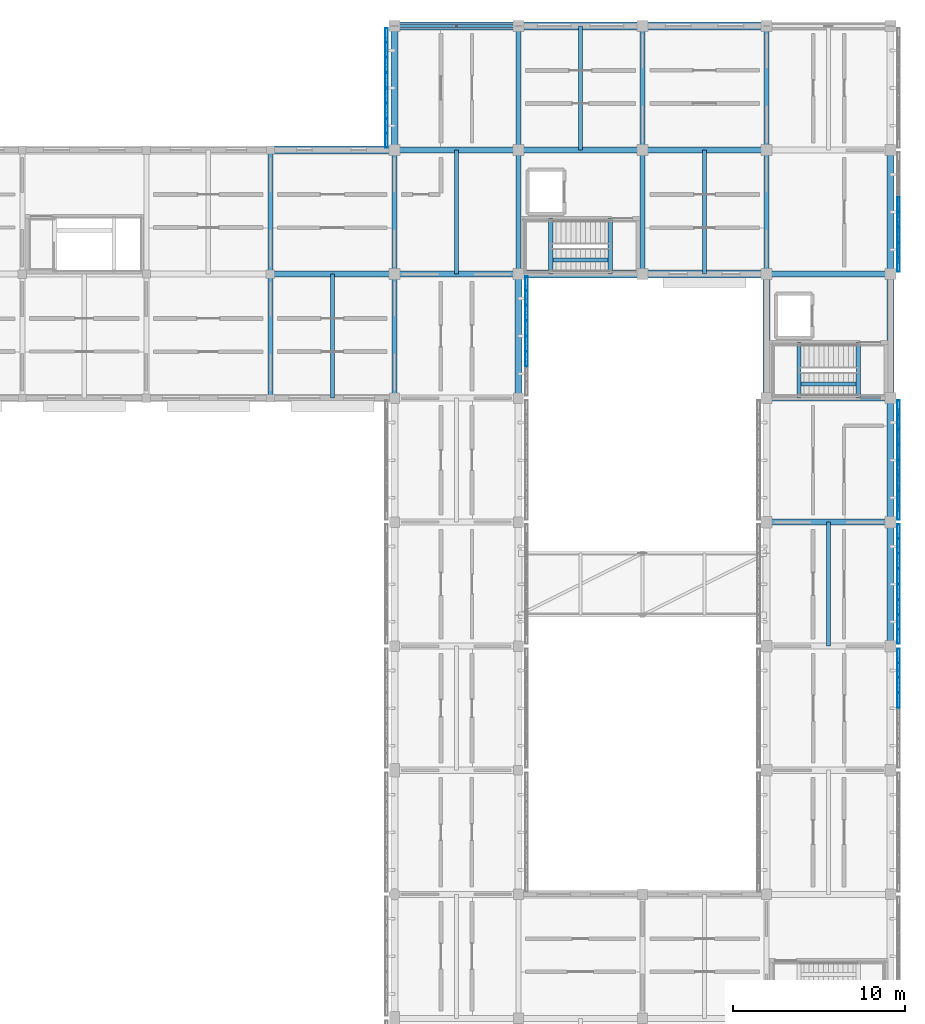
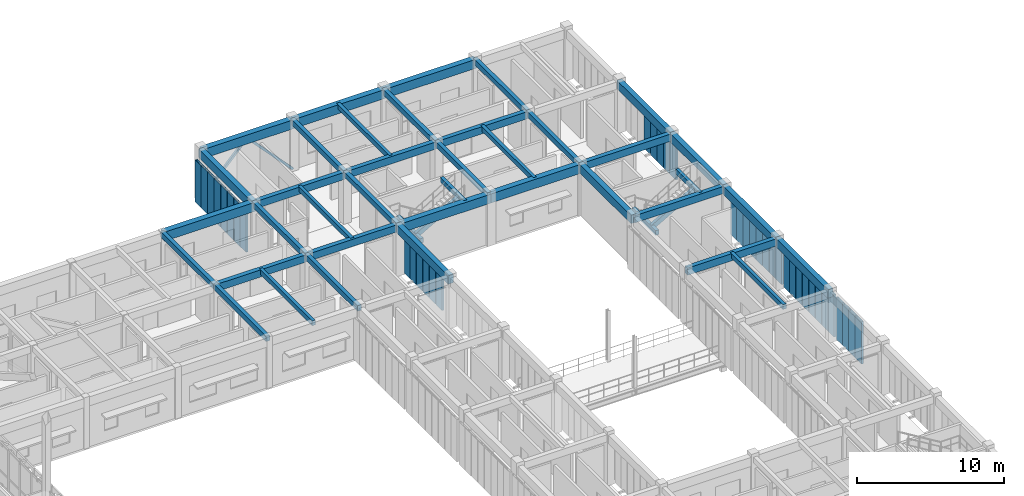
# One storey, part 67 of 171: 42 beams, 41 members, 6 elements without a shape of their own.
"""IFC4 building model written with IfcOpenShell, lengths in metres."""

from ifc_helpers import new_model, si_unit, direction, frame, origin, origin_2d, place, context, subcontext, project, spatial, rectangle, hollow_rectangle, extrude, material, material_profile, profile_set, type_object, element, aggregate, save


model = new_model("IFC4")

# Units and contexts
model_context = context("Model", 3, precision=1e-05, world=origin(), true_north=direction((0.0, 1.0)))
body_context = subcontext(model_context, "Body", "Model", "MODEL_VIEW")
ifc_project = project(units=[si_unit("LENGTHUNIT", "METRE"), si_unit("AREAUNIT", "SQUARE_METRE"), si_unit("VOLUMEUNIT", "CUBIC_METRE"), si_unit("PLANEANGLEUNIT", "RADIAN"), si_unit("MASSUNIT", "GRAM", prefix="KILO")], contexts=[model_context])

# Site, building, storey
site_placement = place(None, origin())
site = spatial("IfcSite", under=ifc_project, at=site_placement, CompositionType="ELEMENT")
building_placement = place(site_placement, origin())
building = spatial("IfcBuilding", under=site, at=building_placement, Name="Aldebral Square Health Centre", CompositionType="ELEMENT")
storey_placement = place(building_placement, frame((0.0, 0.0, 4.5)))
storey = spatial("IfcBuildingStorey", under=building, at=storey_placement, Name="L01", CompositionType="ELEMENT", Elevation=4.5)

# Beams
ifc_material_1 = material(Name="Concrete C40/50", Category="concrete")
ifc_material_profile_1 = material_profile(ifc_material_1, rectangle(XDim=0.35009765625, YDim=0.60009765625, at=origin_2d()), Name="RC 350x600")
ifc_profile_set_1 = profile_set([ifc_material_profile_1], Name="Concrete C40/50")
beam_type_1 = type_object("IfcBeamType", Name="BM-B2", PredefinedType="BEAM", material=ifc_profile_set_1)
for number, where, z_axis, x_axis, name in (
    (1, (129.60009765625, 100.800048828125, 3.919921875), (1.0, 0.0, 0.0), (0.0, 1.0, 0.0), "L01 X-beam 19-20/G15"),
    (2, (136.800048828125, 100.800048828125, 3.919921875), (1.0, 0.0, 0.0), (0.0, 1.0, 0.0), "L01 X-beam 20-21/G15"),
    (3, (136.800048828125, 108.0, 3.919921875), (1.0, 0.0, 0.0), (0.0, 1.0, 0.0), "L01 X-beam 20-21/G16"),
    (4, (144.0, 108.0, 3.919921875), (1.0, 0.0, 0.0), (0.0, 1.0, 0.0), "L01 X-beam 21-22/G16"),
    (5, (151.199951171875, 108.0, 3.919921875), (1.0, 0.0, 0.0), (0.0, 1.0, 0.0), "L01 X-beam 22-23/G16"),
):
    element("IfcBeam", number, at=place(storey_placement, frame(where, z_axis=z_axis, x_axis=x_axis)), inside=storey, type_object=beam_type_1, Name=name, PredefinedType="BEAM", context=body_context, shape_type="SweptSolid", body=[
        extrude(rectangle(XDim=0.35009765625, YDim=0.60009765625, at=origin_2d()), origin(), (0.0, 0.0, 1.0), 7.199951171875),
    ])
for number, where, z_axis, x_axis, name in (
    (6, (158.39990234375, 86.39990234375, 3.919921875), (1.0, 0.0, 0.0), (0.0, 1.0, 0.0), "L01 X-beam 23-24/G13"),
    (7, (158.39990234375, 93.60009765625, 3.919921875), (1.0, 0.0, 0.0), (0.0, 1.0, 0.0), "L01 X-beam 23-24/G14"),
    (8, (158.39990234375, 100.800048828125, 3.919921875), (1.0, 0.0, 0.0), (0.0, 1.0, 0.0), "L01 X-beam 23-24/G15"),
):
    element("IfcBeam", number, at=place(storey_placement, frame(where, z_axis=z_axis, x_axis=x_axis)), inside=storey, type_object=beam_type_1, Name=name, PredefinedType="BEAM", context=body_context, shape_type="SweptSolid", body=[
        extrude(rectangle(XDim=0.35009765625, YDim=0.60009765625, at=origin_2d()), origin(), (0.0, 0.0, 1.0), 7.2001953125),
    ])
ifc_material_profile_2 = material_profile(ifc_material_1, rectangle(XDim=0.300048828125, YDim=0.449951171875, at=origin_2d()), Name="RC 300x450")
ifc_profile_set_2 = profile_set([ifc_material_profile_2], Name="Concrete C40/50")
beam_type_2 = type_object("IfcBeamType", Name="BM-B5", PredefinedType="BEAM", material=ifc_profile_set_2)
for number, where, z_axis, x_axis, name in (
    (9, (129.60009765625, 93.60009765625, 3.9951171875), (0.0, 1.0, 0.0), (-1.0, 0.0, 0.0), "L01 Y-beam G19/14-15"),
    (10, (129.60009765625, 100.800048828125, 3.9951171875), (0.0, 1.0, 0.0), (-1.0, 0.0, 0.0), "L01 Y-beam G19/15-16"),
    (11, (136.800048828125, 93.60009765625, 3.9951171875), (0.0, 1.0, 0.0), (-1.0, 0.0, 0.0), "L01 Y-beam G20/14-15"),
    (12, (136.800048828125, 100.800048828125, 3.9951171875), (0.0, 1.0, 0.0), (-1.0, 0.0, 0.0), "L01 Y-beam G20/15-16"),
    (13, (144.0, 100.800048828125, 3.9951171875), (0.0, 1.0, 0.0), (-1.0, 0.0, 0.0), "L01 Y-beam G21/15-16"),
    (14, (144.0, 108.0, 3.9951171875), (0.0, 1.0, 0.0), (-1.0, 0.0, 0.0), "L01 Y-beam G21/16-17"),
    (15, (151.199951171875, 100.800048828125, 3.9951171875), (0.0, 1.0, 0.0), (-1.0, 0.0, 0.0), "L01 Y-beam G22/15-16"),
    (16, (151.199951171875, 108.0, 3.9951171875), (0.0, 1.0, 0.0), (-1.0, 0.0, 0.0), "L01 Y-beam G22/16-17"),
    (17, (158.39990234375, 100.800048828125, 3.9951171875), (0.0, 1.0, 0.0), (-1.0, 0.0, 0.0), "L01 Y-beam G23/15-16"),
    (18, (158.39990234375, 108.0, 3.9951171875), (0.0, 1.0, 0.0), (-1.0, 0.0, 0.0), "L01 Y-beam G23/16-17"),
):
    element("IfcBeam", number, at=place(storey_placement, frame(where, z_axis=z_axis, x_axis=x_axis)), inside=storey, type_object=beam_type_2, Name=name, PredefinedType="BEAM", context=body_context, shape_type="SweptSolid", body=[
        extrude(rectangle(XDim=0.300048828125, YDim=0.449951171875, at=origin_2d()), origin(), (0.0, 0.0, 1.0), 7.199951171875),
    ])
ifc_material_profile_3 = material_profile(ifc_material_1, rectangle(XDim=0.25, YDim=0.39990234375, at=origin_2d()), Name="RC 250x400")
ifc_profile_set_3 = profile_set([ifc_material_profile_3], Name="Concrete C40/50")
beam_type_3 = type_object("IfcBeamType", Name="BM-B6", PredefinedType="JOIST", material=ifc_profile_set_3)
for number, where, z_axis, x_axis, name in (
    (19, (133.199951171875, 93.60009765625, 4.02001953125), (0.0, 1.0, 0.0), (-1.0, 0.0, 0.0), "L01 secondary rib 19.14"),
    (20, (140.39990234375, 100.800048828125, 4.02001953125), (0.0, 1.0, 0.0), (-1.0, 0.0, 0.0), "L01 secondary rib 20.15"),
    (21, (147.60009765625, 108.0, 4.02001953125), (0.0, 1.0, 0.0), (-1.0, 0.0, 0.0), "L01 secondary rib 21.16"),
    (22, (154.800048828125, 100.800048828125, 4.02001953125), (0.0, 1.0, 0.0), (-1.0, 0.0, 0.0), "L01 secondary rib 22.15"),
    (23, (162.0, 79.199951171875, 4.02001953125), (0.0, 1.0, 0.0), (-1.0, 0.0, 0.0), "L01 secondary rib 23.12"),
):
    element("IfcBeam", number, at=place(storey_placement, frame(where, z_axis=z_axis, x_axis=x_axis)), inside=storey, type_object=beam_type_3, Name=name, PredefinedType="JOIST", context=body_context, shape_type="SweptSolid", body=[
        extrude(rectangle(XDim=0.25, YDim=0.39990234375, at=origin_2d()), origin(), (0.0, 0.0, 1.0), 7.199951171875),
    ])
for number, where, z_axis, x_axis, name in (
    (24, (160.280029296875, 93.610107421875, 2.050048828125), (0.0, 1.0, 0.0), (-1.0, 0.0, 0.0), "L01 WC-C3 half-landing beam"),
    (25, (163.719970703125, 93.610107421875, 4.02001953125), (0.0, 1.0, 0.0), (-1.0, 0.0, 0.0), "L01 WC-C3 upper landing beam"),
):
    element("IfcBeam", number, at=place(storey_placement, frame(where, z_axis=z_axis, x_axis=x_axis)), inside=storey, type_object=beam_type_3, Name=name, PredefinedType="JOIST", context=body_context, shape_type="SweptSolid", body=[
        extrude(rectangle(XDim=0.25, YDim=0.39990234375, at=origin_2d()), origin(), (0.0, 0.0, 1.0), 3.219970703125),
    ])
beam_1_placement = place(storey_placement, frame((160.280029296875, 94.419921875, 2.050048828125), z_axis=(0.867776584178, 0.0, 0.496954525034), x_axis=(0.0, 1.0, 0.0)))
element("IfcBeam", 26, at=beam_1_placement, inside=storey, type_object=beam_type_3, Name="L01 WC-C3 flight stringer beam", PredefinedType="JOIST", context=body_context, shape_type="SweptSolid", body=[
    extrude(rectangle(XDim=0.25, YDim=0.39990234375, at=origin_2d()), origin(), (0.0, 0.0, 1.0), 3.964111328125),
])
for number, where, z_axis, x_axis, name in (
    (27, (145.8798828125, 100.81005859375, 2.050048828125), (0.0, 1.0, 0.0), (-1.0, 0.0, 0.0), "L01 WC-C4 half-landing beam"),
    (28, (149.320068359375, 100.81005859375, 4.02001953125), (0.0, 1.0, 0.0), (-1.0, 0.0, 0.0), "L01 WC-C4 upper landing beam"),
):
    element("IfcBeam", number, at=place(storey_placement, frame(where, z_axis=z_axis, x_axis=x_axis)), inside=storey, type_object=beam_type_3, Name=name, PredefinedType="JOIST", context=body_context, shape_type="SweptSolid", body=[
        extrude(rectangle(XDim=0.25, YDim=0.39990234375, at=origin_2d()), origin(), (0.0, 0.0, 1.0), 3.219970703125),
    ])
beam_2_placement = place(storey_placement, frame((145.8798828125, 101.6201171875, 2.050048828125), z_axis=(0.867791792995, 0.0, 0.496927966622), x_axis=(0.0, 1.0, 0.0)))
element("IfcBeam", 29, at=beam_2_placement, inside=storey, type_object=beam_type_3, Name="L01 WC-C4 flight stringer beam", PredefinedType="JOIST", context=body_context, shape_type="SweptSolid", body=[
    extrude(rectangle(XDim=0.25, YDim=0.39990234375, at=origin_2d()), origin(), (0.0, 0.0, 1.0), 3.96435546875),
])
ifc_material_profile_4 = material_profile(ifc_material_1, rectangle(XDim=0.449951171875, YDim=0.75, at=origin_2d()), Name="RC 450x750")
ifc_profile_set_4 = profile_set([ifc_material_profile_4], Name="Concrete C40/50")
beam_type_4 = type_object("IfcBeamType", Name="BM-G2", PredefinedType="T_BEAM", material=ifc_profile_set_4)
for number, where, z_axis, x_axis, name in (
    (30, (129.60009765625, 108.0, 3.844970703125), (1.0, 0.0, 0.0), (0.0, 1.0, 0.0), "L01 X-beam 19-20/G16"),
    (31, (136.800048828125, 115.199951171875, 3.844970703125), (1.0, 0.0, 0.0), (0.0, 1.0, 0.0), "L01 X-beam 20-21/G17"),
    (32, (144.0, 100.800048828125, 3.844970703125), (1.0, 0.0, 0.0), (0.0, 1.0, 0.0), "L01 X-beam 21-22/G15"),
    (33, (144.0, 115.199951171875, 3.844970703125), (1.0, 0.0, 0.0), (0.0, 1.0, 0.0), "L01 X-beam 21-22/G17"),
    (34, (151.199951171875, 100.800048828125, 3.844970703125), (1.0, 0.0, 0.0), (0.0, 1.0, 0.0), "L01 X-beam 22-23/G15"),
    (35, (151.199951171875, 115.199951171875, 3.844970703125), (1.0, 0.0, 0.0), (0.0, 1.0, 0.0), "L01 X-beam 22-23/G17"),
):
    element("IfcBeam", number, at=place(storey_placement, frame(where, z_axis=z_axis, x_axis=x_axis)), inside=storey, type_object=beam_type_4, Name=name, PredefinedType="T_BEAM", context=body_context, shape_type="SweptSolid", body=[
        extrude(rectangle(XDim=0.449951171875, YDim=0.75, at=origin_2d()), origin(), (0.0, 0.0, 1.0), 7.199951171875),
    ])
ifc_material_profile_5 = material_profile(ifc_material_1, rectangle(XDim=0.39990234375, YDim=0.699951171875, at=origin_2d()), Name="RC 400x700")
ifc_profile_set_5 = profile_set([ifc_material_profile_5], Name="Concrete C40/50")
beam_type_5 = type_object("IfcBeamType", Name="BM-G3", PredefinedType="T_BEAM", material=ifc_profile_set_5)
for number, where, z_axis, x_axis, name in (
    (36, (136.800048828125, 108.0, 3.8701171875), (0.0, 1.0, 0.0), (-1.0, 0.0, 0.0), "L01 Y-beam G20/16-17"),
    (37, (144.0, 93.60009765625, 3.8701171875), (0.0, 1.0, 0.0), (-1.0, 0.0, 0.0), "L01 Y-beam G21/14-15"),
    (38, (158.39990234375, 93.60009765625, 3.8701171875), (0.0, 1.0, 0.0), (-1.0, 0.0, 0.0), "L01 Y-beam G23/14-15"),
    (39, (165.60009765625, 79.199951171875, 3.8701171875), (0.0, 1.0, 0.0), (-1.0, 0.0, 0.0), "L01 Y-beam G24/12-13"),
):
    element("IfcBeam", number, at=place(storey_placement, frame(where, z_axis=z_axis, x_axis=x_axis)), inside=storey, type_object=beam_type_5, Name=name, PredefinedType="T_BEAM", context=body_context, shape_type="SweptSolid", body=[
        extrude(rectangle(XDim=0.39990234375, YDim=0.699951171875, at=origin_2d()), origin(), (0.0, 0.0, 1.0), 7.199951171875),
    ])
beam_3_placement = place(storey_placement, frame((165.60009765625, 86.39990234375, 3.8701171875), z_axis=(0.0, 1.0, 0.0), x_axis=(-1.0, 0.0, 0.0)))
element("IfcBeam", 40, at=beam_3_placement, inside=storey, type_object=beam_type_5, Name="L01 Y-beam G24/13-14", PredefinedType="T_BEAM", context=body_context, shape_type="SweptSolid", body=[
    extrude(rectangle(XDim=0.39990234375, YDim=0.699951171875, at=origin_2d()), origin(), (0.0, 0.0, 1.0), 7.2001953125),
])
for number, where, z_axis, x_axis, name in (
    (41, (165.60009765625, 93.60009765625, 3.8701171875), (0.0, 1.0, 0.0), (-1.0, 0.0, 0.0), "L01 Y-beam G24/14-15"),
    (42, (165.60009765625, 100.800048828125, 3.8701171875), (0.0, 1.0, 0.0), (-1.0, 0.0, 0.0), "L01 Y-beam G24/15-16"),
):
    element("IfcBeam", number, at=place(storey_placement, frame(where, z_axis=z_axis, x_axis=x_axis)), inside=storey, type_object=beam_type_5, Name=name, PredefinedType="T_BEAM", context=body_context, shape_type="SweptSolid", body=[
        extrude(rectangle(XDim=0.39990234375, YDim=0.699951171875, at=origin_2d()), origin(), (0.0, 0.0, 1.0), 7.199951171875),
    ])

# Curtain wall, members
ifc_material_2 = material(Name="Aluminium and low-E solar glass", Category="aluminium")
curtain_wall_type = type_object("IfcCurtainWallType", Name="CW-FIN-SYS", PredefinedType="USERDEFINED", material=ifc_material_2)
curtain_wall_1_placement = place(storey_placement, origin())
curtain_wall_1 = element("IfcCurtainWall", 43, at=curtain_wall_1_placement, inside=storey, type_object=curtain_wall_type, Name="L01 V5 finned curtain wall L01-V5-19-13-E", ObjectType="SOLAR_CURTAIN_WALL", PredefinedType="USERDEFINED")
ifc_material_3 = material(Name="Sienna-terracotta clad aluminium fin", Category="masonry")
ifc_material_profile_6 = material_profile(ifc_material_3, hollow_rectangle(XDim=0.159912109375, YDim=0.85009765625, WallThickness=0.006103515625, at=origin_2d()), Name="FIN 160x850x6")
ifc_profile_set_6 = profile_set([ifc_material_profile_6], Name="Sienna-terracotta clad aluminium fin")
member_type_1 = type_object("IfcMemberType", Name="CWM-FIN", PredefinedType="MULLION", material=ifc_profile_set_6)
member_1_placement = place(storey_placement, frame((144.4599609375, 95.86279296875, 0.0), z_axis=(0.0, 0.0, 1.0), x_axis=(-1.0, 0.0, 0.0)))
member_1 = element("IfcMember", 44, at=member_1_placement, type_object=member_type_1, Name="CW1 mullion 3", PredefinedType="MULLION", context=body_context, shape_type="SweptSolid", body=[
    extrude(hollow_rectangle(XDim=0.159912109375, YDim=0.85009765625, WallThickness=0.006103515625, at=origin_2d()), origin(), (0.0, 0.0, 1.0), 3.52001953125),
])
member_2_placement = place(storey_placement, frame((144.4599609375, 96.75439453125, 0.0), z_axis=(0.0, 0.0, 1.0), x_axis=(-1.0, 0.0, 0.0)))
member_2 = element("IfcMember", 45, at=member_2_placement, type_object=member_type_1, Name="CW1 mullion 4", PredefinedType="MULLION", context=body_context, shape_type="SweptSolid", body=[
    extrude(hollow_rectangle(XDim=0.159912109375, YDim=0.85009765625, WallThickness=0.006103515625, at=origin_2d()), origin(), (0.0, 0.0, 1.0), 3.52001953125),
])
member_3_placement = place(storey_placement, frame((144.4599609375, 97.645751953125, 0.0), z_axis=(0.0, 0.0, 1.0), x_axis=(-1.0, 0.0, 0.0)))
member_3 = element("IfcMember", 46, at=member_3_placement, type_object=member_type_1, Name="CW1 mullion 5", PredefinedType="MULLION", context=body_context, shape_type="SweptSolid", body=[
    extrude(hollow_rectangle(XDim=0.159912109375, YDim=0.85009765625, WallThickness=0.006103515625, at=origin_2d()), origin(), (0.0, 0.0, 1.0), 3.52001953125),
])
member_4_placement = place(storey_placement, frame((144.4599609375, 98.537109375, 0.0), z_axis=(0.0, 0.0, 1.0), x_axis=(-1.0, 0.0, 0.0)))
member_4 = element("IfcMember", 47, at=member_4_placement, type_object=member_type_1, Name="CW1 mullion 6", PredefinedType="MULLION", context=body_context, shape_type="SweptSolid", body=[
    extrude(hollow_rectangle(XDim=0.159912109375, YDim=0.85009765625, WallThickness=0.006103515625, at=origin_2d()), origin(), (0.0, 0.0, 1.0), 3.52001953125),
])
member_5_placement = place(storey_placement, frame((144.4599609375, 99.428466796875, 0.0), z_axis=(0.0, 0.0, 1.0), x_axis=(-1.0, 0.0, 0.0)))
member_5 = element("IfcMember", 48, at=member_5_placement, type_object=member_type_1, Name="CW1 mullion 7", PredefinedType="MULLION", context=body_context, shape_type="SweptSolid", body=[
    extrude(hollow_rectangle(XDim=0.159912109375, YDim=0.85009765625, WallThickness=0.006103515625, at=origin_2d()), origin(), (0.0, 0.0, 1.0), 3.52001953125),
])
member_6_placement = place(storey_placement, frame((144.4599609375, 100.239990234375, 0.0), z_axis=(0.0, 0.0, 1.0), x_axis=(-1.0, 0.0, 0.0)))
member_6 = element("IfcMember", 49, at=member_6_placement, type_object=member_type_1, Name="CW1 mullion 8", PredefinedType="MULLION", context=body_context, shape_type="SweptSolid", body=[
    extrude(hollow_rectangle(XDim=0.159912109375, YDim=0.85009765625, WallThickness=0.006103515625, at=origin_2d()), origin(), (0.0, 0.0, 1.0), 3.52001953125),
])
aggregate(curtain_wall_1, [member_1, member_2, member_3, member_4, member_5, member_6])

curtain_wall_2_placement = place(storey_placement, origin())
curtain_wall_2 = element("IfcCurtainWall", 50, at=curtain_wall_2_placement, inside=storey, type_object=curtain_wall_type, Name="L01 V5 finned curtain wall L01-V5-19-15-W", ObjectType="SOLAR_CURTAIN_WALL", PredefinedType="USERDEFINED")
member_7_placement = place(storey_placement, frame((136.340087890625, 114.639892578125, 0.0), z_axis=(0.0, 0.0, 1.0), x_axis=(1.0, 0.0, 0.0)))
member_7 = element("IfcMember", 51, at=member_7_placement, type_object=member_type_1, Name="CW1 mullion 1", PredefinedType="MULLION", context=body_context, shape_type="SweptSolid", body=[
    extrude(hollow_rectangle(XDim=0.159912109375, YDim=0.85009765625, WallThickness=0.006103515625, at=origin_2d()), origin(), (0.0, 0.0, 1.0), 3.52001953125),
])
member_8_placement = place(storey_placement, frame((136.340087890625, 113.82861328125, 0.0), z_axis=(0.0, 0.0, 1.0), x_axis=(1.0, 0.0, 0.0)))
member_8 = element("IfcMember", 52, at=member_8_placement, type_object=member_type_1, Name="CW1 mullion 2", PredefinedType="MULLION", context=body_context, shape_type="SweptSolid", body=[
    extrude(hollow_rectangle(XDim=0.159912109375, YDim=0.85009765625, WallThickness=0.006103515625, at=origin_2d()), origin(), (0.0, 0.0, 1.0), 3.52001953125),
])
member_9_placement = place(storey_placement, frame((136.340087890625, 112.937255859375, 0.0), z_axis=(0.0, 0.0, 1.0), x_axis=(1.0, 0.0, 0.0)))
member_9 = element("IfcMember", 53, at=member_9_placement, type_object=member_type_1, Name="CW1 mullion 3", PredefinedType="MULLION", context=body_context, shape_type="SweptSolid", body=[
    extrude(hollow_rectangle(XDim=0.159912109375, YDim=0.85009765625, WallThickness=0.006103515625, at=origin_2d()), origin(), (0.0, 0.0, 1.0), 3.52001953125),
])
member_10_placement = place(storey_placement, frame((136.340087890625, 112.045654296875, 0.0), z_axis=(0.0, 0.0, 1.0), x_axis=(1.0, 0.0, 0.0)))
member_10 = element("IfcMember", 54, at=member_10_placement, type_object=member_type_1, Name="CW1 mullion 4", PredefinedType="MULLION", context=body_context, shape_type="SweptSolid", body=[
    extrude(hollow_rectangle(XDim=0.159912109375, YDim=0.85009765625, WallThickness=0.006103515625, at=origin_2d()), origin(), (0.0, 0.0, 1.0), 3.52001953125),
])
member_11_placement = place(storey_placement, frame((136.340087890625, 111.154296875, 0.0), z_axis=(0.0, 0.0, 1.0), x_axis=(1.0, 0.0, 0.0)))
member_11 = element("IfcMember", 55, at=member_11_placement, type_object=member_type_1, Name="CW1 mullion 5", PredefinedType="MULLION", context=body_context, shape_type="SweptSolid", body=[
    extrude(hollow_rectangle(XDim=0.159912109375, YDim=0.85009765625, WallThickness=0.006103515625, at=origin_2d()), origin(), (0.0, 0.0, 1.0), 3.52001953125),
])
member_12_placement = place(storey_placement, frame((136.340087890625, 110.262939453125, 0.0), z_axis=(0.0, 0.0, 1.0), x_axis=(1.0, 0.0, 0.0)))
member_12 = element("IfcMember", 56, at=member_12_placement, type_object=member_type_1, Name="CW1 mullion 6", PredefinedType="MULLION", context=body_context, shape_type="SweptSolid", body=[
    extrude(hollow_rectangle(XDim=0.159912109375, YDim=0.85009765625, WallThickness=0.006103515625, at=origin_2d()), origin(), (0.0, 0.0, 1.0), 3.52001953125),
])
member_13_placement = place(storey_placement, frame((136.340087890625, 109.371337890625, 0.0), z_axis=(0.0, 0.0, 1.0), x_axis=(1.0, 0.0, 0.0)))
member_13 = element("IfcMember", 57, at=member_13_placement, type_object=member_type_1, Name="CW1 mullion 7", PredefinedType="MULLION", context=body_context, shape_type="SweptSolid", body=[
    extrude(hollow_rectangle(XDim=0.159912109375, YDim=0.85009765625, WallThickness=0.006103515625, at=origin_2d()), origin(), (0.0, 0.0, 1.0), 3.52001953125),
])
member_14_placement = place(storey_placement, frame((136.340087890625, 108.56005859375, 0.0), z_axis=(0.0, 0.0, 1.0), x_axis=(1.0, 0.0, 0.0)))
member_14 = element("IfcMember", 58, at=member_14_placement, type_object=member_type_1, Name="CW1 mullion 8", PredefinedType="MULLION", context=body_context, shape_type="SweptSolid", body=[
    extrude(hollow_rectangle(XDim=0.159912109375, YDim=0.85009765625, WallThickness=0.006103515625, at=origin_2d()), origin(), (0.0, 0.0, 1.0), 3.52001953125),
])
aggregate(curtain_wall_2, [member_7, member_8, member_9, member_10, member_11, member_12, member_13, member_14])

curtain_wall_3_placement = place(storey_placement, origin())
curtain_wall_3 = element("IfcCurtainWall", 59, at=curtain_wall_3_placement, inside=storey, type_object=curtain_wall_type, Name="L01 V5 finned curtain wall L01-V5-22-10-E", ObjectType="SOLAR_CURTAIN_WALL", PredefinedType="USERDEFINED")
member_15_placement = place(storey_placement, frame((166.06005859375, 76.045654296875, 0.0), z_axis=(0.0, 0.0, 1.0), x_axis=(-1.0, 0.0, 0.0)))
member_15 = element("IfcMember", 60, at=member_15_placement, type_object=member_type_1, Name="CW1 mullion 5", PredefinedType="MULLION", context=body_context, shape_type="SweptSolid", body=[
    extrude(hollow_rectangle(XDim=0.159912109375, YDim=0.85009765625, WallThickness=0.006103515625, at=origin_2d()), origin(), (0.0, 0.0, 1.0), 3.52001953125),
])
member_16_placement = place(storey_placement, frame((166.06005859375, 76.937255859375, 0.0), z_axis=(0.0, 0.0, 1.0), x_axis=(-1.0, 0.0, 0.0)))
member_16 = element("IfcMember", 61, at=member_16_placement, type_object=member_type_1, Name="CW1 mullion 6", PredefinedType="MULLION", context=body_context, shape_type="SweptSolid", body=[
    extrude(hollow_rectangle(XDim=0.159912109375, YDim=0.85009765625, WallThickness=0.006103515625, at=origin_2d()), origin(), (0.0, 0.0, 1.0), 3.52001953125),
])
member_17_placement = place(storey_placement, frame((166.06005859375, 77.82861328125, 0.0), z_axis=(0.0, 0.0, 1.0), x_axis=(-1.0, 0.0, 0.0)))
member_17 = element("IfcMember", 62, at=member_17_placement, type_object=member_type_1, Name="CW1 mullion 7", PredefinedType="MULLION", context=body_context, shape_type="SweptSolid", body=[
    extrude(hollow_rectangle(XDim=0.159912109375, YDim=0.85009765625, WallThickness=0.006103515625, at=origin_2d()), origin(), (0.0, 0.0, 1.0), 3.52001953125),
])
member_18_placement = place(storey_placement, frame((166.06005859375, 78.639892578125, 0.0), z_axis=(0.0, 0.0, 1.0), x_axis=(-1.0, 0.0, 0.0)))
member_18 = element("IfcMember", 63, at=member_18_placement, type_object=member_type_1, Name="CW1 mullion 8", PredefinedType="MULLION", context=body_context, shape_type="SweptSolid", body=[
    extrude(hollow_rectangle(XDim=0.159912109375, YDim=0.85009765625, WallThickness=0.006103515625, at=origin_2d()), origin(), (0.0, 0.0, 1.0), 3.52001953125),
])
aggregate(curtain_wall_3, [member_15, member_16, member_17, member_18])

curtain_wall_4_placement = place(storey_placement, origin())
curtain_wall_4 = element("IfcCurtainWall", 64, at=curtain_wall_4_placement, inside=storey, type_object=curtain_wall_type, Name="L01 V5 finned curtain wall L01-V5-22-11-E", ObjectType="SOLAR_CURTAIN_WALL", PredefinedType="USERDEFINED")
member_19_placement = place(storey_placement, frame((166.06005859375, 79.760009765625, 0.0), z_axis=(0.0, 0.0, 1.0), x_axis=(-1.0, 0.0, 0.0)))
member_19 = element("IfcMember", 65, at=member_19_placement, type_object=member_type_1, Name="CW1 mullion 1", PredefinedType="MULLION", context=body_context, shape_type="SweptSolid", body=[
    extrude(hollow_rectangle(XDim=0.159912109375, YDim=0.85009765625, WallThickness=0.006103515625, at=origin_2d()), origin(), (0.0, 0.0, 1.0), 3.52001953125),
])
member_20_placement = place(storey_placement, frame((166.06005859375, 80.571533203125, 0.0), z_axis=(0.0, 0.0, 1.0), x_axis=(-1.0, 0.0, 0.0)))
member_20 = element("IfcMember", 66, at=member_20_placement, type_object=member_type_1, Name="CW1 mullion 2", PredefinedType="MULLION", context=body_context, shape_type="SweptSolid", body=[
    extrude(hollow_rectangle(XDim=0.159912109375, YDim=0.85009765625, WallThickness=0.006103515625, at=origin_2d()), origin(), (0.0, 0.0, 1.0), 3.52001953125),
])
member_21_placement = place(storey_placement, frame((166.06005859375, 81.462890625, 0.0), z_axis=(0.0, 0.0, 1.0), x_axis=(-1.0, 0.0, 0.0)))
member_21 = element("IfcMember", 67, at=member_21_placement, type_object=member_type_1, Name="CW1 mullion 3", PredefinedType="MULLION", context=body_context, shape_type="SweptSolid", body=[
    extrude(hollow_rectangle(XDim=0.159912109375, YDim=0.85009765625, WallThickness=0.006103515625, at=origin_2d()), origin(), (0.0, 0.0, 1.0), 3.52001953125),
])
member_22_placement = place(storey_placement, frame((166.06005859375, 82.354248046875, 0.0), z_axis=(0.0, 0.0, 1.0), x_axis=(-1.0, 0.0, 0.0)))
member_22 = element("IfcMember", 68, at=member_22_placement, type_object=member_type_1, Name="CW1 mullion 4", PredefinedType="MULLION", context=body_context, shape_type="SweptSolid", body=[
    extrude(hollow_rectangle(XDim=0.159912109375, YDim=0.85009765625, WallThickness=0.006103515625, at=origin_2d()), origin(), (0.0, 0.0, 1.0), 3.52001953125),
])
member_23_placement = place(storey_placement, frame((166.06005859375, 83.24560546875, 0.0), z_axis=(0.0, 0.0, 1.0), x_axis=(-1.0, 0.0, 0.0)))
member_23 = element("IfcMember", 69, at=member_23_placement, type_object=member_type_1, Name="CW1 mullion 5", PredefinedType="MULLION", context=body_context, shape_type="SweptSolid", body=[
    extrude(hollow_rectangle(XDim=0.159912109375, YDim=0.85009765625, WallThickness=0.006103515625, at=origin_2d()), origin(), (0.0, 0.0, 1.0), 3.52001953125),
])
member_24_placement = place(storey_placement, frame((166.06005859375, 84.13720703125, 0.0), z_axis=(0.0, 0.0, 1.0), x_axis=(-1.0, 0.0, 0.0)))
member_24 = element("IfcMember", 70, at=member_24_placement, type_object=member_type_1, Name="CW1 mullion 6", PredefinedType="MULLION", context=body_context, shape_type="SweptSolid", body=[
    extrude(hollow_rectangle(XDim=0.159912109375, YDim=0.85009765625, WallThickness=0.006103515625, at=origin_2d()), origin(), (0.0, 0.0, 1.0), 3.52001953125),
])
member_25_placement = place(storey_placement, frame((166.06005859375, 85.028564453125, 0.0), z_axis=(0.0, 0.0, 1.0), x_axis=(-1.0, 0.0, 0.0)))
member_25 = element("IfcMember", 71, at=member_25_placement, type_object=member_type_1, Name="CW1 mullion 7", PredefinedType="MULLION", context=body_context, shape_type="SweptSolid", body=[
    extrude(hollow_rectangle(XDim=0.159912109375, YDim=0.85009765625, WallThickness=0.006103515625, at=origin_2d()), origin(), (0.0, 0.0, 1.0), 3.52001953125),
])
member_26_placement = place(storey_placement, frame((166.06005859375, 85.840087890625, 0.0), z_axis=(0.0, 0.0, 1.0), x_axis=(-1.0, 0.0, 0.0)))
member_26 = element("IfcMember", 72, at=member_26_placement, type_object=member_type_1, Name="CW1 mullion 8", PredefinedType="MULLION", context=body_context, shape_type="SweptSolid", body=[
    extrude(hollow_rectangle(XDim=0.159912109375, YDim=0.85009765625, WallThickness=0.006103515625, at=origin_2d()), origin(), (0.0, 0.0, 1.0), 3.52001953125),
])
aggregate(curtain_wall_4, [member_19, member_20, member_21, member_22, member_23, member_24, member_25, member_26])

curtain_wall_5_placement = place(storey_placement, origin())
curtain_wall_5 = element("IfcCurtainWall", 73, at=curtain_wall_5_placement, inside=storey, type_object=curtain_wall_type, Name="L01 V5 finned curtain wall L01-V5-22-12-E", ObjectType="SOLAR_CURTAIN_WALL", PredefinedType="USERDEFINED")
member_27_placement = place(storey_placement, frame((166.06005859375, 86.9599609375, 0.0), z_axis=(0.0, 0.0, 1.0), x_axis=(-1.0, 0.0, 0.0)))
member_27 = element("IfcMember", 74, at=member_27_placement, type_object=member_type_1, Name="CW1 mullion 1", PredefinedType="MULLION", context=body_context, shape_type="SweptSolid", body=[
    extrude(hollow_rectangle(XDim=0.159912109375, YDim=0.85009765625, WallThickness=0.006103515625, at=origin_2d()), origin(), (0.0, 0.0, 1.0), 3.52001953125),
])
member_28_placement = place(storey_placement, frame((166.06005859375, 87.771484375, 0.0), z_axis=(0.0, 0.0, 1.0), x_axis=(-1.0, 0.0, 0.0)))
member_28 = element("IfcMember", 75, at=member_28_placement, type_object=member_type_1, Name="CW1 mullion 2", PredefinedType="MULLION", context=body_context, shape_type="SweptSolid", body=[
    extrude(hollow_rectangle(XDim=0.159912109375, YDim=0.85009765625, WallThickness=0.006103515625, at=origin_2d()), origin(), (0.0, 0.0, 1.0), 3.52001953125),
])
member_29_placement = place(storey_placement, frame((166.06005859375, 88.662841796875, 0.0), z_axis=(0.0, 0.0, 1.0), x_axis=(-1.0, 0.0, 0.0)))
member_29 = element("IfcMember", 76, at=member_29_placement, type_object=member_type_1, Name="CW1 mullion 3", PredefinedType="MULLION", context=body_context, shape_type="SweptSolid", body=[
    extrude(hollow_rectangle(XDim=0.159912109375, YDim=0.85009765625, WallThickness=0.006103515625, at=origin_2d()), origin(), (0.0, 0.0, 1.0), 3.52001953125),
])
member_30_placement = place(storey_placement, frame((166.06005859375, 89.55419921875, 0.0), z_axis=(0.0, 0.0, 1.0), x_axis=(-1.0, 0.0, 0.0)))
member_30 = element("IfcMember", 77, at=member_30_placement, type_object=member_type_1, Name="CW1 mullion 4", PredefinedType="MULLION", context=body_context, shape_type="SweptSolid", body=[
    extrude(hollow_rectangle(XDim=0.159912109375, YDim=0.85009765625, WallThickness=0.006103515625, at=origin_2d()), origin(), (0.0, 0.0, 1.0), 3.52001953125),
])
member_31_placement = place(storey_placement, frame((166.06005859375, 90.44580078125, 0.0), z_axis=(0.0, 0.0, 1.0), x_axis=(-1.0, 0.0, 0.0)))
member_31 = element("IfcMember", 78, at=member_31_placement, type_object=member_type_1, Name="CW1 mullion 5", PredefinedType="MULLION", context=body_context, shape_type="SweptSolid", body=[
    extrude(hollow_rectangle(XDim=0.159912109375, YDim=0.85009765625, WallThickness=0.006103515625, at=origin_2d()), origin(), (0.0, 0.0, 1.0), 3.52001953125),
])
member_32_placement = place(storey_placement, frame((166.06005859375, 91.337158203125, 0.0), z_axis=(0.0, 0.0, 1.0), x_axis=(-1.0, 0.0, 0.0)))
member_32 = element("IfcMember", 79, at=member_32_placement, type_object=member_type_1, Name="CW1 mullion 6", PredefinedType="MULLION", context=body_context, shape_type="SweptSolid", body=[
    extrude(hollow_rectangle(XDim=0.159912109375, YDim=0.85009765625, WallThickness=0.006103515625, at=origin_2d()), origin(), (0.0, 0.0, 1.0), 3.52001953125),
])
member_33_placement = place(storey_placement, frame((166.06005859375, 92.228515625, 0.0), z_axis=(0.0, 0.0, 1.0), x_axis=(-1.0, 0.0, 0.0)))
member_33 = element("IfcMember", 80, at=member_33_placement, type_object=member_type_1, Name="CW1 mullion 7", PredefinedType="MULLION", context=body_context, shape_type="SweptSolid", body=[
    extrude(hollow_rectangle(XDim=0.159912109375, YDim=0.85009765625, WallThickness=0.006103515625, at=origin_2d()), origin(), (0.0, 0.0, 1.0), 3.52001953125),
])
member_34_placement = place(storey_placement, frame((166.06005859375, 93.0400390625, 0.0), z_axis=(0.0, 0.0, 1.0), x_axis=(-1.0, 0.0, 0.0)))
member_34 = element("IfcMember", 81, at=member_34_placement, type_object=member_type_1, Name="CW1 mullion 8", PredefinedType="MULLION", context=body_context, shape_type="SweptSolid", body=[
    extrude(hollow_rectangle(XDim=0.159912109375, YDim=0.85009765625, WallThickness=0.006103515625, at=origin_2d()), origin(), (0.0, 0.0, 1.0), 3.52001953125),
])
aggregate(curtain_wall_5, [member_27, member_28, member_29, member_30, member_31, member_32, member_33, member_34])

curtain_wall_6_placement = place(storey_placement, origin())
curtain_wall_6 = element("IfcCurtainWall", 82, at=curtain_wall_6_placement, inside=storey, type_object=curtain_wall_type, Name="L01 V5 finned curtain wall L01-V5-22-14-E", ObjectType="SOLAR_CURTAIN_WALL", PredefinedType="USERDEFINED")
member_35_placement = place(storey_placement, frame((166.06005859375, 101.360107421875, 0.0), z_axis=(0.0, 0.0, 1.0), x_axis=(-1.0, 0.0, 0.0)))
member_35 = element("IfcMember", 83, at=member_35_placement, type_object=member_type_1, Name="CW1 mullion 1", PredefinedType="MULLION", context=body_context, shape_type="SweptSolid", body=[
    extrude(hollow_rectangle(XDim=0.159912109375, YDim=0.85009765625, WallThickness=0.006103515625, at=origin_2d()), origin(), (0.0, 0.0, 1.0), 3.52001953125),
])
member_36_placement = place(storey_placement, frame((166.06005859375, 102.17138671875, 0.0), z_axis=(0.0, 0.0, 1.0), x_axis=(-1.0, 0.0, 0.0)))
member_36 = element("IfcMember", 84, at=member_36_placement, type_object=member_type_1, Name="CW1 mullion 2", PredefinedType="MULLION", context=body_context, shape_type="SweptSolid", body=[
    extrude(hollow_rectangle(XDim=0.159912109375, YDim=0.85009765625, WallThickness=0.006103515625, at=origin_2d()), origin(), (0.0, 0.0, 1.0), 3.52001953125),
])
member_37_placement = place(storey_placement, frame((166.06005859375, 103.062744140625, 0.0), z_axis=(0.0, 0.0, 1.0), x_axis=(-1.0, 0.0, 0.0)))
member_37 = element("IfcMember", 85, at=member_37_placement, type_object=member_type_1, Name="CW1 mullion 3", PredefinedType="MULLION", context=body_context, shape_type="SweptSolid", body=[
    extrude(hollow_rectangle(XDim=0.159912109375, YDim=0.85009765625, WallThickness=0.006103515625, at=origin_2d()), origin(), (0.0, 0.0, 1.0), 3.52001953125),
])
member_38_placement = place(storey_placement, frame((166.06005859375, 103.954345703125, 0.0), z_axis=(0.0, 0.0, 1.0), x_axis=(-1.0, 0.0, 0.0)))
member_38 = element("IfcMember", 86, at=member_38_placement, type_object=member_type_1, Name="CW1 mullion 4", PredefinedType="MULLION", context=body_context, shape_type="SweptSolid", body=[
    extrude(hollow_rectangle(XDim=0.159912109375, YDim=0.85009765625, WallThickness=0.006103515625, at=origin_2d()), origin(), (0.0, 0.0, 1.0), 3.52001953125),
])
member_39_placement = place(storey_placement, frame((166.06005859375, 104.845703125, 0.0), z_axis=(0.0, 0.0, 1.0), x_axis=(-1.0, 0.0, 0.0)))
member_39 = element("IfcMember", 87, at=member_39_placement, type_object=member_type_1, Name="CW1 mullion 5", PredefinedType="MULLION", context=body_context, shape_type="SweptSolid", body=[
    extrude(hollow_rectangle(XDim=0.159912109375, YDim=0.85009765625, WallThickness=0.006103515625, at=origin_2d()), origin(), (0.0, 0.0, 1.0), 3.52001953125),
])
aggregate(curtain_wall_6, [member_35, member_36, member_37, member_38, member_39])

# Members
ifc_material_4 = material(Name="Steel S355JR", Category="steel")
ifc_material_profile_7 = material_profile(ifc_material_4, hollow_rectangle(XDim=0.179931640625, YDim=0.179931640625, WallThickness=0.010009765625, at=origin_2d()), Name="180x180x10 SHS")
ifc_profile_set_7 = profile_set([ifc_material_profile_7], Name="Steel S355JR")
member_type_2 = type_object("IfcMemberType", Name="MEM-BR1", PredefinedType="BRACE", material=ifc_profile_set_7)
member_40_placement = place(storey_placement, frame((136.800048828125, 115.199951171875, 0.0), z_axis=(0.683455296672, 0.0, 0.729992368077), x_axis=(0.0, 1.0, 0.0)))
element("IfcMember", 88, at=member_40_placement, inside=storey, type_object=member_type_2, Name="L01 exterior north chevron brace L 20", PredefinedType="BRACE", context=body_context, shape_type="SweptSolid", body=[
    extrude(hollow_rectangle(XDim=0.179931640625, YDim=0.179931640625, WallThickness=0.010009765625, at=origin_2d()), origin(), (0.0, 0.0, 1.0), 5.26708984375),
])
member_41_placement = place(storey_placement, frame((144.0, 115.199951171875, 0.0), z_axis=(-0.683479995784, 0.0, 0.729969242751), x_axis=(0.0, -1.0, 0.0)))
element("IfcMember", 89, at=member_41_placement, inside=storey, type_object=member_type_2, Name="L01 exterior north chevron brace R 20", PredefinedType="BRACE", context=body_context, shape_type="SweptSolid", body=[
    extrude(hollow_rectangle(XDim=0.179931640625, YDim=0.179931640625, WallThickness=0.010009765625, at=origin_2d()), origin(), (0.0, 0.0, 1.0), 5.267333984375),
])

save(model, "model.ifc")
